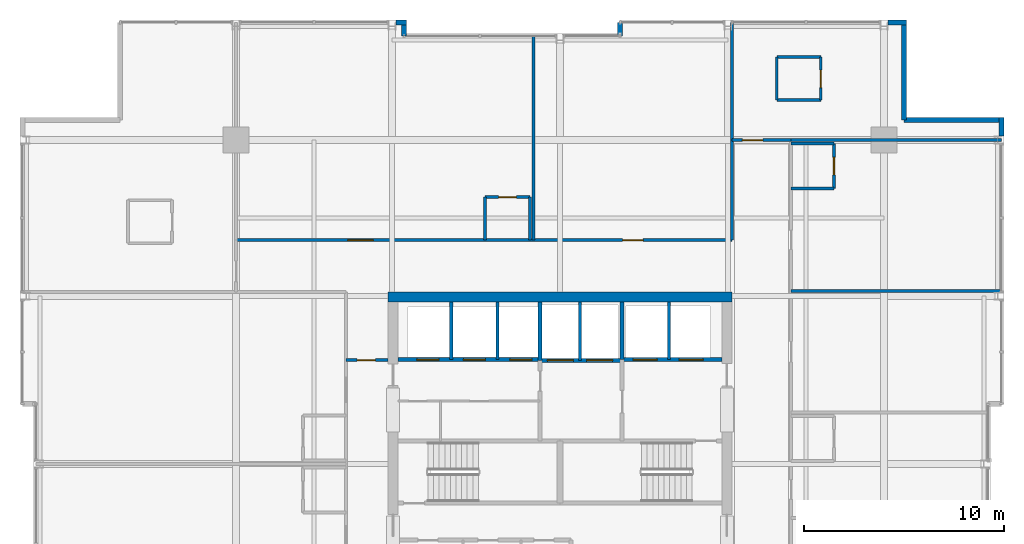
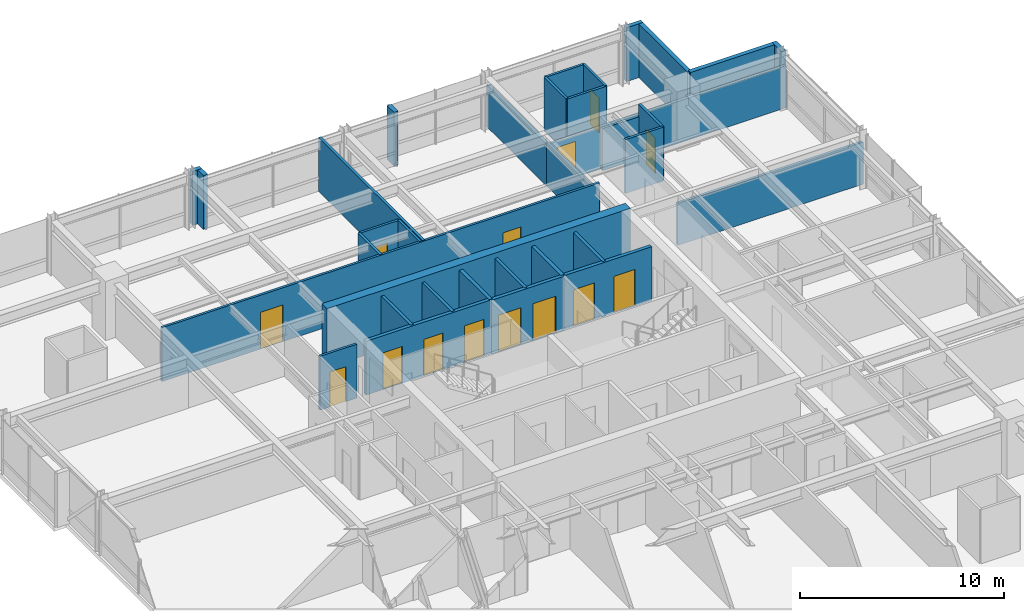
# One storey, part 29 of 33: 35 walls, 14 doors, 14 openings.
"""IFC4 building model written with IfcOpenShell, lengths in metres."""

from ifc_helpers import new_model, si_unit, direction, frame, frame_2d, origin, place, context, subcontext, project, spatial, rectangle, extrude, material, layer, layer_set, type_object, element, fill, save


model = new_model("IFC4")

# Units and contexts
model_context = context("Model", 3, precision=1e-05, world=origin(), true_north=direction((0.0, 1.0)))
body_context = subcontext(model_context, "Body", "Model", "MODEL_VIEW")
ifc_project = project(units=[si_unit("LENGTHUNIT", "METRE"), si_unit("AREAUNIT", "SQUARE_METRE"), si_unit("VOLUMEUNIT", "CUBIC_METRE"), si_unit("PLANEANGLEUNIT", "RADIAN"), si_unit("MASSUNIT", "GRAM", prefix="KILO")], contexts=[model_context])

# Site, building, storey
site_placement = place(None, origin())
site = spatial("IfcSite", under=ifc_project, at=site_placement, CompositionType="ELEMENT")
building_placement = place(site_placement, origin())
building = spatial("IfcBuilding", under=site, at=building_placement, Name="Drelvath Grand Hotel", CompositionType="ELEMENT")
storey_placement = place(building_placement, frame((0.0, 0.0, 196.550048828125)))
storey = spatial("IfcBuildingStorey", under=building, at=storey_placement, Name="L51", CompositionType="ELEMENT", Elevation=196.550048828125)

# Wall, openings, doors
ifc_material_1 = material(Name="Concrete C40/50", Category="concrete")
ifc_layer_1 = layer(ifc_material_1, 0.199951171875)
ifc_layer_set_1 = layer_set([ifc_layer_1], Name="Concrete C40/50")
wall_type_1 = type_object("IfcWallType", Name="Core Hoistway Fire Wall 200", PredefinedType="SOLIDWALL", material=ifc_layer_set_1)
wall_1_placement = place(storey_placement, frame((3.10009765625, 32.219970703125, 0.0), z_axis=(0.0, 0.0, 1.0), x_axis=(1.0, 0.0, 0.0)))
wall_1 = element("IfcWall", 1, at=wall_1_placement, inside=storey, type_object=wall_type_1, Name="L51 FSAE Hoistway Front Wall", PredefinedType="SOLIDWALL", context=body_context, shape_type="SweptSolid", body=[
    extrude(rectangle(XDim=5.0, YDim=0.199951171875, at=frame_2d((2.5, 0.0))), origin(), (0.0, 0.0, 1.0), 3.22998046875),
])
opening_1_placement = place(wall_1_placement, frame((0.550048828125, 0.0, 0.0)))
opening_1 = element("IfcOpeningElement", 2, at=opening_1_placement, cuts=wall_1, Name="Opening LD-FSAE-1", PredefinedType="OPENING", context=body_context, shape_type="SweptSolid", body=[
    extrude(rectangle(XDim=1.199951171875, YDim=2.199951171875, at=frame_2d((0.60009765625, 1.10009765625))), frame((0.0, 0.10986328125, 0.0), z_axis=(0.0, -1.0, 0.0), x_axis=(1.0, 0.0, 0.0)), (0.0, 0.0, 1.0), 0.219970703125),
])
opening_2_placement = place(wall_1_placement, frame((2.85009765625, 0.0, 0.0)))
opening_2 = element("IfcOpeningElement", 3, at=opening_2_placement, cuts=wall_1, Name="Opening LD-FSAE-2", PredefinedType="OPENING", context=body_context, shape_type="SweptSolid", body=[
    extrude(rectangle(XDim=1.199951171875, YDim=2.199951171875, at=frame_2d((0.60009765625, 1.10009765625))), frame((0.0, 0.10986328125, 0.0), z_axis=(0.0, -1.0, 0.0), x_axis=(1.0, 0.0, 0.0)), (0.0, 0.0, 1.0), 0.219970703125),
])
ifc_material_2 = material(Name="Stainless Steel S355", Category="steel")
door_type_1 = type_object("IfcDoorType", Name="FSAE Lift Sliding Landing Door 1200x2200", OperationType="NOTDEFINED", PredefinedType="DOOR", material=ifc_material_2)
door_1_placement = place(opening_1_placement, origin())
door_1 = element("IfcDoor", 4, at=door_1_placement, inside=storey, type_object=door_type_1, Name="L51 Lift FSAE-1 Landing Door", OperationType="SLIDING_TO_LEFT", OverallHeight=2.199951171875, OverallWidth=1.199951171875, PredefinedType="DOOR", context=body_context, shape_type="SweptSolid", body=[
    extrude(rectangle(XDim=1.199951171875, YDim=2.199951171875, at=frame_2d((0.60009765625, 1.10009765625))), frame((0.0, 0.02490234375, 0.0), z_axis=(0.0, -1.0, 0.0), x_axis=(1.0, 0.0, 0.0)), (0.0, 0.0, 1.0), 0.050048828125),
])
fill(opening_1, door_1)
door_2_placement = place(opening_2_placement, origin())
door_2 = element("IfcDoor", 5, at=door_2_placement, inside=storey, type_object=door_type_1, Name="L51 Lift FSAE-2 Landing Door", OperationType="SLIDING_TO_LEFT", OverallHeight=2.199951171875, OverallWidth=1.199951171875, PredefinedType="DOOR", context=body_context, shape_type="SweptSolid", body=[
    extrude(rectangle(XDim=1.199951171875, YDim=2.199951171875, at=frame_2d((0.60009765625, 1.10009765625))), frame((0.0, 0.02490234375, 0.0), z_axis=(0.0, -1.0, 0.0), x_axis=(1.0, 0.0, 0.0)), (0.0, 0.0, 1.0), 0.050048828125),
])
fill(opening_2, door_2)

# Wall
wall_2_placement = place(storey_placement, frame((3.10009765625, 32.219970703125, 0.0), z_axis=(0.0, 0.0, 1.0), x_axis=(0.0, 1.0, 0.0)))
element("IfcWall", 6, at=wall_2_placement, inside=storey, type_object=wall_type_1, Name="L51 FSAE Hoistway West Wall", PredefinedType="SOLIDWALL", context=body_context, shape_type="SweptSolid", body=[
    extrude(rectangle(XDim=2.880126953125, YDim=0.199951171875, at=frame_2d((1.43994140625, 0.0))), origin(), (0.0, 0.0, 1.0), 3.22998046875),
])

# Wall, openings, doors
wall_3_placement = place(storey_placement, frame((-1.0, 32.179931640625, 0.0), z_axis=(0.0, 0.0, 1.0), x_axis=(1.0, 0.0, 0.0)))
wall_3 = element("IfcWall", 7, at=wall_3_placement, inside=storey, type_object=wall_type_1, Name="L51 Service Lift Hoistway Wall", PredefinedType="SOLIDWALL", context=body_context, shape_type="SweptSolid", body=[
    extrude(rectangle(XDim=4.10009765625, YDim=0.199951171875, at=frame_2d((2.050048828125, 0.0))), origin(), (0.0, 0.0, 1.0), 3.22998046875),
])
opening_3_placement = place(wall_3_placement, frame((0.3701171875, 0.0, 0.0)))
opening_3 = element("IfcOpeningElement", 8, at=opening_3_placement, cuts=wall_3, Name="Opening LD-SV-2", PredefinedType="OPENING", context=body_context, shape_type="SweptSolid", body=[
    extrude(rectangle(XDim=1.300048828125, YDim=2.199951171875, at=frame_2d((0.64990234375, 1.10009765625))), frame((0.0, 0.10986328125, 0.0), z_axis=(0.0, -1.0, 0.0), x_axis=(1.0, 0.0, 0.0)), (0.0, 0.0, 1.0), 0.219970703125),
])
opening_4_placement = place(wall_3_placement, frame((2.330078125, 0.0, 0.0)))
opening_4 = element("IfcOpeningElement", 9, at=opening_4_placement, cuts=wall_3, Name="Opening LD-SV-1", PredefinedType="OPENING", context=body_context, shape_type="SweptSolid", body=[
    extrude(rectangle(XDim=1.300048828125, YDim=2.199951171875, at=frame_2d((0.64990234375, 1.10009765625))), frame((0.0, 0.10986328125, 0.0), z_axis=(0.0, -1.0, 0.0), x_axis=(1.0, 0.0, 0.0)), (0.0, 0.0, 1.0), 0.219970703125),
])
door_type_2 = type_object("IfcDoorType", Name="Service Lift Sliding Landing Door 1300x2200", OperationType="NOTDEFINED", PredefinedType="DOOR", material=ifc_material_2)
door_3_placement = place(opening_3_placement, origin())
door_3 = element("IfcDoor", 10, at=door_3_placement, inside=storey, type_object=door_type_2, Name="L51 Lift SV-2 Landing Door", OperationType="SLIDING_TO_LEFT", OverallHeight=2.199951171875, OverallWidth=1.300048828125, PredefinedType="DOOR", context=body_context, shape_type="SweptSolid", body=[
    extrude(rectangle(XDim=1.300048828125, YDim=2.199951171875, at=frame_2d((0.64990234375, 1.10009765625))), frame((0.0, 0.02490234375, 0.0), z_axis=(0.0, -1.0, 0.0), x_axis=(1.0, 0.0, 0.0)), (0.0, 0.0, 1.0), 0.050048828125),
])
fill(opening_3, door_3)
door_4_placement = place(opening_4_placement, origin())
door_4 = element("IfcDoor", 11, at=door_4_placement, inside=storey, type_object=door_type_2, Name="L51 Lift SV-1 Landing Door", OperationType="SLIDING_TO_LEFT", OverallHeight=2.199951171875, OverallWidth=1.300048828125, PredefinedType="DOOR", context=body_context, shape_type="SweptSolid", body=[
    extrude(rectangle(XDim=1.300048828125, YDim=2.199951171875, at=frame_2d((0.64990234375, 1.10009765625))), frame((0.0, 0.02490234375, 0.0), z_axis=(0.0, -1.0, 0.0), x_axis=(1.0, 0.0, 0.0)), (0.0, 0.0, 1.0), 0.050048828125),
])
fill(opening_4, door_4)

# Wall
wall_4_placement = place(storey_placement, frame((-1.0, 32.179931640625, 0.0), z_axis=(0.0, 0.0, 1.0), x_axis=(0.0, 1.0, 0.0)))
element("IfcWall", 12, at=wall_4_placement, inside=storey, type_object=wall_type_1, Name="L51 Service Lift West Wall", PredefinedType="SOLIDWALL", context=body_context, shape_type="SweptSolid", body=[
    extrude(rectangle(XDim=2.920166015625, YDim=0.199951171875, at=frame_2d((1.4599609375, 0.0))), origin(), (0.0, 0.0, 1.0), 3.22998046875),
])

# Wall, openings, doors
wall_5_placement = place(storey_placement, frame((-8.10009765625, 32.219970703125, 0.0), z_axis=(0.0, 0.0, 1.0), x_axis=(1.0, 0.0, 0.0)))
wall_5 = element("IfcWall", 13, at=wall_5_placement, inside=storey, type_object=wall_type_1, Name="L51 Bank 3 Hoistway Wall", PredefinedType="SOLIDWALL", context=body_context, shape_type="SweptSolid", body=[
    extrude(rectangle(XDim=7.10009765625, YDim=0.199951171875, at=frame_2d((3.550048828125, 0.0))), origin(), (0.0, 0.0, 1.0), 3.22998046875),
])
opening_5_placement = place(wall_5_placement, frame((0.949951171875, 0.0, 0.0)))
opening_5 = element("IfcOpeningElement", 14, at=opening_5_placement, cuts=wall_5, Name="Opening LD-PE-7", PredefinedType="OPENING", context=body_context, shape_type="SweptSolid", body=[
    extrude(rectangle(XDim=1.10009765625, YDim=2.199951171875, at=frame_2d((0.550048828125, 1.10009765625))), frame((0.0, 0.10986328125, 0.0), z_axis=(0.0, -1.0, 0.0), x_axis=(1.0, 0.0, 0.0)), (0.0, 0.0, 1.0), 0.219970703125),
])
opening_6_placement = place(wall_5_placement, frame((3.27001953125, 0.0, 0.0)))
opening_6 = element("IfcOpeningElement", 15, at=opening_6_placement, cuts=wall_5, Name="Opening LD-PE-8", PredefinedType="OPENING", context=body_context, shape_type="SweptSolid", body=[
    extrude(rectangle(XDim=1.10009765625, YDim=2.199951171875, at=frame_2d((0.550048828125, 1.10009765625))), frame((0.0, 0.10986328125, 0.0), z_axis=(0.0, -1.0, 0.0), x_axis=(1.0, 0.0, 0.0)), (0.0, 0.0, 1.0), 0.219970703125),
])
opening_7_placement = place(wall_5_placement, frame((5.590087890625, 0.0, 0.0)))
opening_7 = element("IfcOpeningElement", 16, at=opening_7_placement, cuts=wall_5, Name="Opening LD-PE-9", PredefinedType="OPENING", context=body_context, shape_type="SweptSolid", body=[
    extrude(rectangle(XDim=1.10009765625, YDim=2.199951171875, at=frame_2d((0.550048828125, 1.10009765625))), frame((0.0, 0.10986328125, 0.0), z_axis=(0.0, -1.0, 0.0), x_axis=(1.0, 0.0, 0.0)), (0.0, 0.0, 1.0), 0.219970703125),
])
door_type_3 = type_object("IfcDoorType", Name="Passenger Lift Sliding Landing Door 1100x2200", OperationType="NOTDEFINED", PredefinedType="DOOR", material=ifc_material_2)
door_5_placement = place(opening_5_placement, origin())
door_5 = element("IfcDoor", 17, at=door_5_placement, inside=storey, type_object=door_type_3, Name="L51 Lift PE-7 Landing Door", OperationType="SLIDING_TO_LEFT", OverallHeight=2.199951171875, OverallWidth=1.10009765625, PredefinedType="DOOR", context=body_context, shape_type="SweptSolid", body=[
    extrude(rectangle(XDim=1.10009765625, YDim=2.199951171875, at=frame_2d((0.550048828125, 1.10009765625))), frame((0.0, 0.02490234375, 0.0), z_axis=(0.0, -1.0, 0.0), x_axis=(1.0, 0.0, 0.0)), (0.0, 0.0, 1.0), 0.050048828125),
])
fill(opening_5, door_5)
door_6_placement = place(opening_6_placement, origin())
door_6 = element("IfcDoor", 18, at=door_6_placement, inside=storey, type_object=door_type_3, Name="L51 Lift PE-8 Landing Door", OperationType="SLIDING_TO_LEFT", OverallHeight=2.199951171875, OverallWidth=1.10009765625, PredefinedType="DOOR", context=body_context, shape_type="SweptSolid", body=[
    extrude(rectangle(XDim=1.10009765625, YDim=2.199951171875, at=frame_2d((0.550048828125, 1.10009765625))), frame((0.0, 0.02490234375, 0.0), z_axis=(0.0, -1.0, 0.0), x_axis=(1.0, 0.0, 0.0)), (0.0, 0.0, 1.0), 0.050048828125),
])
fill(opening_6, door_6)
door_7_placement = place(opening_7_placement, origin())
door_7 = element("IfcDoor", 19, at=door_7_placement, inside=storey, type_object=door_type_3, Name="L51 Lift PE-9 Landing Door", OperationType="SLIDING_TO_LEFT", OverallHeight=2.199951171875, OverallWidth=1.10009765625, PredefinedType="DOOR", context=body_context, shape_type="SweptSolid", body=[
    extrude(rectangle(XDim=1.10009765625, YDim=2.199951171875, at=frame_2d((0.550048828125, 1.10009765625))), frame((0.0, 0.02490234375, 0.0), z_axis=(0.0, -1.0, 0.0), x_axis=(1.0, 0.0, 0.0)), (0.0, 0.0, 1.0), 0.050048828125),
])
fill(opening_7, door_7)

# Walls
ifc_material_3 = material(Name="Gypsum Fireboard Partition")
ifc_layer_2 = layer(ifc_material_3, 0.1650390625)
ifc_layer_set_2 = layer_set([ifc_layer_2], Name="Gypsum Fireboard Partition")
wall_type_2 = type_object("IfcWallType", Name="Core Shaft Partition 165", PredefinedType="PARTITIONING", material=ifc_layer_set_2)
wall_6_placement = place(storey_placement, frame((5.449951171875, 32.219970703125, 0.0), z_axis=(0.0, 0.0, 1.0), x_axis=(0.0, 1.0, 0.0)))
element("IfcWall", 20, at=wall_6_placement, inside=storey, type_object=wall_type_2, Name="L51 FSAE Hoistway Divider", PredefinedType="PARTITIONING", context=body_context, shape_type="SweptSolid", body=[
    extrude(rectangle(XDim=2.880126953125, YDim=0.1650390625, at=frame_2d((1.43994140625, 0.0))), origin(), (0.0, 0.0, 1.0), 3.22998046875),
])
wall_7_placement = place(storey_placement, frame((1.0, 32.179931640625, 0.0), z_axis=(0.0, 0.0, 1.0), x_axis=(0.0, 1.0, 0.0)))
element("IfcWall", 21, at=wall_7_placement, inside=storey, type_object=wall_type_2, Name="L51 Service Lift Divider", PredefinedType="PARTITIONING", context=body_context, shape_type="SweptSolid", body=[
    extrude(rectangle(XDim=2.920166015625, YDim=0.1650390625, at=frame_2d((1.4599609375, 0.0))), origin(), (0.0, 0.0, 1.0), 3.22998046875),
])
for number, where, z_axis, x_axis, name in (
    (22, (-5.43994140625, 32.219970703125, 0.0), (0.0, 0.0, 1.0), (0.0, 1.0, 0.0), "L51 Lift PE-7/8 Divider"),
    (23, (-3.1201171875, 32.219970703125, 0.0), (0.0, 0.0, 1.0), (0.0, 1.0, 0.0), "L51 Lift PE-8/9 Divider"),
):
    element("IfcWall", number, at=place(storey_placement, frame(where, z_axis=z_axis, x_axis=x_axis)), inside=storey, type_object=wall_type_2, Name=name, PredefinedType="PARTITIONING", context=body_context, shape_type="SweptSolid", body=[
        extrude(rectangle(XDim=2.880126953125, YDim=0.1650390625, at=frame_2d((1.43994140625, 0.0))), origin(), (0.0, 0.0, 1.0), 3.22998046875),
    ])

# Wall, opening, door
ifc_layer_3 = layer(ifc_material_3, 0.135009765625)
ifc_layer_set_3 = layer_set([ifc_layer_3], Name="Gypsum Fireboard Partition")
wall_type_3 = type_object("IfcWallType", Name="Corridor Fire Barrier Wall 135", PredefinedType="PARTITIONING", material=ifc_layer_set_3)
wall_8_placement = place(storey_placement, frame((-10.699951171875, 32.199951171875, 0.0), z_axis=(0.0, 0.0, 1.0), x_axis=(1.0, 0.0, 0.0)))
wall_8 = element("IfcWall", 24, at=wall_8_placement, inside=storey, type_object=wall_type_3, Name="L51 West Foyer North Wall", PredefinedType="PARTITIONING", context=body_context, shape_type="SweptSolid", body=[
    extrude(rectangle(XDim=2.099853515625, YDim=0.135009765625, at=frame_2d((1.0498046875, 0.0))), origin(), (0.0, 0.0, 1.0), 3.22998046875),
])
opening_8_placement = place(wall_8_placement, frame((0.550048828125, 0.0, 0.0)))
opening_8 = element("IfcOpeningElement", 25, at=opening_8_placement, cuts=wall_8, Name="Opening D-T3G5-025", PredefinedType="OPENING", context=body_context, shape_type="SweptSolid", body=[
    extrude(rectangle(XDim=0.919921875, YDim=2.10009765625, at=frame_2d((0.4599609375, 1.050048828125))), frame((0.0, 0.077392578125, 0.0), z_axis=(0.0, -1.0, 0.0), x_axis=(1.0, 0.0, 0.0)), (0.0, 0.0, 1.0), 0.155029296875),
])
ifc_material_4 = material(Name="Painted Steel S275", Category="steel")
door_type_4 = type_object("IfcDoorType", Name="Staff Utility Door 920x2100", OperationType="NOTDEFINED", PredefinedType="DOOR", material=ifc_material_4)
door_8_placement = place(opening_8_placement, origin())
door_8 = element("IfcDoor", 26, at=door_8_placement, inside=storey, type_object=door_type_4, Name="L51 West Pantry Door", OperationType="SINGLE_SWING_LEFT", OverallHeight=2.10009765625, OverallWidth=0.919921875, PredefinedType="DOOR", context=body_context, shape_type="SweptSolid", body=[
    extrude(rectangle(XDim=0.919921875, YDim=2.10009765625, at=frame_2d((0.4599609375, 1.050048828125))), frame((0.0, 0.02490234375, 0.0), z_axis=(0.0, -1.0, 0.0), x_axis=(1.0, 0.0, 0.0)), (0.0, 0.0, 1.0), 0.050048828125),
])
fill(opening_8, door_8)

# Wall
wall_9_placement = place(storey_placement, frame((8.60009765625, 38.199951171875, 0.0), z_axis=(0.0, 0.0, 1.0), x_axis=(0.0, 1.0, 0.0)))
element("IfcWall", 27, at=wall_9_placement, inside=storey, type_object=wall_type_3, Name="L51 East Spine North Inner Wall", PredefinedType="PARTITIONING", context=body_context, shape_type="SweptSolid", body=[
    extrude(rectangle(XDim=5.0, YDim=0.135009765625, at=frame_2d((2.5, 0.0))), origin(), (0.0, 0.0, 1.0), 2.607421875),
])

# Wall, openings, doors
wall_10_placement = place(storey_placement, frame((-16.199951171875, 38.199951171875, 0.0), z_axis=(0.0, 0.0, 1.0), x_axis=(1.0, 0.0, 0.0)))
wall_10 = element("IfcWall", 28, at=wall_10_placement, inside=storey, type_object=wall_type_3, Name="L51 North Stub Corridor Wall", PredefinedType="PARTITIONING", context=body_context, shape_type="SweptSolid", body=[
    extrude(rectangle(XDim=24.800048828125, YDim=0.135009765625, at=frame_2d((12.39990234375, 0.0))), origin(), (0.0, 0.0, 1.0), 3.22998046875),
])
opening_9_placement = place(wall_10_placement, frame((5.594970703125, 0.0, 0.0)))
opening_9 = element("IfcOpeningElement", 29, at=opening_9_placement, cuts=wall_10, Name="Opening D-T3G5-044", PredefinedType="OPENING", context=body_context, shape_type="SweptSolid", body=[
    extrude(rectangle(XDim=1.260009765625, YDim=2.199951171875, at=frame_2d((0.6298828125, 1.10009765625))), frame((0.0, 0.077392578125, 0.0), z_axis=(0.0, -1.0, 0.0), x_axis=(1.0, 0.0, 0.0)), (0.0, 0.0, 1.0), 0.155029296875),
])
opening_10_placement = place(wall_10_placement, frame((19.330078125, 0.0, 0.0)))
opening_10 = element("IfcOpeningElement", 30, at=opening_10_placement, cuts=wall_10, Name="Opening D-T3G5-045", PredefinedType="OPENING", context=body_context, shape_type="SweptSolid", body=[
    extrude(rectangle(XDim=1.02001953125, YDim=2.14990234375, at=frame_2d((0.510009765625, 1.074951171875))), frame((0.0, 0.077392578125, 0.0), z_axis=(0.0, -1.0, 0.0), x_axis=(1.0, 0.0, 0.0)), (0.0, 0.0, 1.0), 0.155029296875),
])
ifc_material_5 = material(Name="Hardwood Walnut Timber", Category="wood")
door_type_5 = type_object("IfcDoorType", Name="Amenity Meeting Fire Door 1020x2150", OperationType="NOTDEFINED", PredefinedType="DOOR", material=ifc_material_5)
door_9_placement = place(opening_10_placement, origin())
door_9 = element("IfcDoor", 31, at=door_9_placement, inside=storey, type_object=door_type_5, Name="L51 Horizon Club Lounge Entry Door", OperationType="SINGLE_SWING_LEFT", OverallHeight=2.14990234375, OverallWidth=1.02001953125, PredefinedType="DOOR", context=body_context, shape_type="SweptSolid", body=[
    extrude(rectangle(XDim=1.02001953125, YDim=2.14990234375, at=frame_2d((0.510009765625, 1.074951171875))), frame((0.0, 0.02490234375, 0.0), z_axis=(0.0, -1.0, 0.0), x_axis=(1.0, 0.0, 0.0)), (0.0, 0.0, 1.0), 0.050048828125),
])
fill(opening_10, door_9)
door_type_6 = type_object("IfcDoorType", Name="Suite Entrance Fire Door 1260x2200", OperationType="NOTDEFINED", PredefinedType="DOOR", material=ifc_material_5)
door_10_placement = place(opening_9_placement, origin())
door_10 = element("IfcDoor", 32, at=door_10_placement, inside=storey, type_object=door_type_6, Name="L51 Executive Suite Entry Door", OperationType="SINGLE_SWING_RIGHT", OverallHeight=2.199951171875, OverallWidth=1.260009765625, PredefinedType="DOOR", context=body_context, shape_type="SweptSolid", body=[
    extrude(rectangle(XDim=1.260009765625, YDim=2.199951171875, at=frame_2d((0.6298828125, 1.10009765625))), frame((0.0, 0.02490234375, 0.0), z_axis=(0.0, -1.0, 0.0), x_axis=(1.0, 0.0, 0.0)), (0.0, 0.0, 1.0), 0.050048828125),
])
fill(opening_9, door_10)

# Wall, opening, door
wall_11_placement = place(storey_placement, frame((8.60009765625, 43.199951171875, 0.0), z_axis=(0.0, 0.0, 1.0), x_axis=(1.0, 0.0, 0.0)))
wall_11 = element("IfcWall", 33, at=wall_11_placement, inside=storey, type_object=wall_type_3, Name="L51 East Spine North End", PredefinedType="PARTITIONING", context=body_context, shape_type="SweptSolid", body=[
    extrude(rectangle(XDim=2.949951171875, YDim=0.135009765625, at=frame_2d((1.47509765625, 0.0))), origin(), (0.0, 0.0, 1.0), 2.51953125),
])
opening_11_placement = place(wall_11_placement, frame((0.52001953125, 0.0, 0.0)))
opening_11 = element("IfcOpeningElement", 34, at=opening_11_placement, cuts=wall_11, Name="Opening D-T3G5-033", PredefinedType="OPENING", context=body_context, shape_type="SweptSolid", body=[
    extrude(rectangle(XDim=1.02001953125, YDim=2.14990234375, at=frame_2d((0.510009765625, 1.074951171875))), frame((0.0, 0.077392578125, 0.0), z_axis=(0.0, -1.0, 0.0), x_axis=(1.0, 0.0, 0.0)), (0.0, 0.0, 1.0), 0.155029296875),
])
door_11_placement = place(opening_11_placement, origin())
door_11 = element("IfcDoor", 35, at=door_11_placement, inside=storey, type_object=door_type_5, Name="L51 Executive Suite Entry Door", OperationType="SINGLE_SWING_LEFT", OverallHeight=2.14990234375, OverallWidth=1.02001953125, PredefinedType="DOOR", context=body_context, shape_type="SweptSolid", body=[
    extrude(rectangle(XDim=1.02001953125, YDim=2.14990234375, at=frame_2d((0.510009765625, 1.074951171875))), frame((0.0, 0.02490234375, 0.0), z_axis=(0.0, -1.0, 0.0), x_axis=(1.0, 0.0, 0.0)), (0.0, 0.0, 1.0), 0.050048828125),
])
fill(opening_11, door_11)

# Walls
ifc_material_6 = material(Name="Moisture-Resistant Gypsum Board")
ifc_layer_4 = layer(ifc_material_6, 0.139892578125)
ifc_layer_set_4 = layer_set([ifc_layer_4], Name="Moisture-Resistant Gypsum Board")
wall_type_4 = type_object("IfcWallType", Name="En-Suite Plumbing Wall 140", PredefinedType="PLUMBINGWALL", material=ifc_layer_set_4)
for number, where, z_axis, x_axis, name in (
    (36, (10.840087890625, 45.199951171875, 0.0), (0.0, 0.0, 1.0), (1.0, 0.0, 0.0), "L51 Corner En-Suite South"),
    (37, (10.840087890625, 47.35009765625, 0.0), (0.0, 0.0, 1.0), (1.0, 0.0, 0.0), "L51 Corner En-Suite North"),
):
    element("IfcWall", number, at=place(storey_placement, frame(where, z_axis=z_axis, x_axis=x_axis)), inside=storey, type_object=wall_type_4, Name=name, PredefinedType="PLUMBINGWALL", context=body_context, shape_type="SweptSolid", body=[
        extrude(rectangle(XDim=2.199951171875, YDim=0.139892578125, at=frame_2d((1.10009765625, 0.0))), origin(), (0.0, 0.0, 1.0), 3.22998046875),
    ])
wall_12_placement = place(storey_placement, frame((10.840087890625, 45.199951171875, 0.0), z_axis=(0.0, 0.0, 1.0), x_axis=(0.0, 1.0, 0.0)))
element("IfcWall", 38, at=wall_12_placement, inside=storey, type_object=wall_type_4, Name="L51 Corner En-Suite West", PredefinedType="PLUMBINGWALL", context=body_context, shape_type="SweptSolid", body=[
    extrude(rectangle(XDim=2.150146484375, YDim=0.139892578125, at=frame_2d((1.0751953125, 0.0))), origin(), (0.0, 0.0, 1.0), 3.22998046875),
])

# Wall, opening, door
wall_13_placement = place(storey_placement, frame((13.0400390625, 45.199951171875, 0.0), z_axis=(0.0, 0.0, 1.0), x_axis=(0.0, 1.0, 0.0)))
wall_13 = element("IfcWall", 39, at=wall_13_placement, inside=storey, type_object=wall_type_4, Name="L51 Corner En-Suite East", PredefinedType="PLUMBINGWALL", context=body_context, shape_type="SweptSolid", body=[
    extrude(rectangle(XDim=2.150146484375, YDim=0.139892578125, at=frame_2d((1.0751953125, 0.0))), origin(), (0.0, 0.0, 1.0), 3.22998046875),
])
opening_12_placement = place(wall_13_placement, frame((0.6201171875, 0.0, 0.0)))
opening_12 = element("IfcOpeningElement", 40, at=opening_12_placement, cuts=wall_13, Name="Opening D-T3G5-032", PredefinedType="OPENING", context=body_context, shape_type="SweptSolid", body=[
    extrude(rectangle(XDim=0.8798828125, YDim=2.10009765625, at=frame_2d((0.43994140625, 1.050048828125))), frame((0.0, 0.079833984375, 0.0), z_axis=(0.0, -1.0, 0.0), x_axis=(1.0, 0.0, 0.0)), (0.0, 0.0, 1.0), 0.159912109375),
])
door_type_7 = type_object("IfcDoorType", Name="En-Suite Bathroom Door 880x2100", OperationType="NOTDEFINED", PredefinedType="DOOR", material=ifc_material_5)
door_12_placement = place(opening_12_placement, origin())
door_12 = element("IfcDoor", 41, at=door_12_placement, inside=storey, type_object=door_type_7, Name="L51 Corner En-Suite Door", OperationType="SINGLE_SWING_RIGHT", OverallHeight=2.10009765625, OverallWidth=0.8798828125, PredefinedType="DOOR", context=body_context, shape_type="SweptSolid", body=[
    extrude(rectangle(XDim=0.8798828125, YDim=2.10009765625, at=frame_2d((0.43994140625, 1.050048828125))), frame((0.0, 0.02490234375, 0.0), z_axis=(0.0, -1.0, 0.0), x_axis=(1.0, 0.0, 0.0)), (0.0, 0.0, 1.0), 0.050048828125),
])
fill(opening_12, door_12)

# Walls
for number, where, z_axis, x_axis, name in (
    (42, (-3.75, 38.199951171875, 0.0), (0.0, 0.0, 1.0), (0.0, 1.0, 0.0), "L51 En-Suite Left Wall"),
    (43, (-1.5, 38.199951171875, 0.0), (0.0, 0.0, 1.0), (0.0, 1.0, 0.0), "L51 En-Suite Right Wall"),
):
    element("IfcWall", number, at=place(storey_placement, frame(where, z_axis=z_axis, x_axis=x_axis)), inside=storey, type_object=wall_type_4, Name=name, PredefinedType="PLUMBINGWALL", context=body_context, shape_type="SweptSolid", body=[
        extrude(rectangle(XDim=2.150146484375, YDim=0.139892578125, at=frame_2d((1.0751953125, 0.0))), origin(), (0.0, 0.0, 1.0), 3.22998046875),
    ])

# Wall, opening, door
wall_14_placement = place(storey_placement, frame((-3.75, 40.35009765625, 0.0), z_axis=(0.0, 0.0, 1.0), x_axis=(1.0, 0.0, 0.0)))
wall_14 = element("IfcWall", 44, at=wall_14_placement, inside=storey, type_object=wall_type_4, Name="L51 En-Suite Front Wall", PredefinedType="PLUMBINGWALL", context=body_context, shape_type="SweptSolid", body=[
    extrude(rectangle(XDim=2.25, YDim=0.139892578125, at=frame_2d((1.125, 0.0))), origin(), (0.0, 0.0, 1.0), 3.22998046875),
])
opening_13_placement = place(wall_14_placement, frame((0.68505859375, 0.0, 0.0)))
opening_13 = element("IfcOpeningElement", 45, at=opening_13_placement, cuts=wall_14, Name="Opening D-T3G5-043", PredefinedType="OPENING", context=body_context, shape_type="SweptSolid", body=[
    extrude(rectangle(XDim=0.8798828125, YDim=2.10009765625, at=frame_2d((0.43994140625, 1.050048828125))), frame((0.0, 0.079833984375, 0.0), z_axis=(0.0, -1.0, 0.0), x_axis=(1.0, 0.0, 0.0)), (0.0, 0.0, 1.0), 0.159912109375),
])
door_13_placement = place(opening_13_placement, origin())
door_13 = element("IfcDoor", 46, at=door_13_placement, inside=storey, type_object=door_type_7, Name="L51 En-Suite Bathroom Door", OperationType="SINGLE_SWING_LEFT", OverallHeight=2.10009765625, OverallWidth=0.8798828125, PredefinedType="DOOR", context=body_context, shape_type="SweptSolid", body=[
    extrude(rectangle(XDim=0.8798828125, YDim=2.10009765625, at=frame_2d((0.43994140625, 1.050048828125))), frame((0.0, 0.02490234375, 0.0), z_axis=(0.0, -1.0, 0.0), x_axis=(1.0, 0.0, 0.0)), (0.0, 0.0, 1.0), 0.050048828125),
])
fill(opening_13, door_13)

# Walls
wall_15_placement = place(storey_placement, frame((11.550048828125, 40.77001953125, 0.0), z_axis=(0.0, 0.0, 1.0), x_axis=(1.0, 0.0, 0.0)))
element("IfcWall", 47, at=wall_15_placement, inside=storey, type_object=wall_type_4, Name="L51 En-Suite Left Wall", PredefinedType="PLUMBINGWALL", context=body_context, shape_type="SweptSolid", body=[
    extrude(rectangle(XDim=2.14990234375, YDim=0.139892578125, at=frame_2d((1.074951171875, 0.0))), origin(), (0.0, 0.0, 1.0), 3.22998046875),
])
wall_16_placement = place(storey_placement, frame((11.550048828125, 43.02001953125, 0.0), z_axis=(0.0, 0.0, 1.0), x_axis=(1.0, 0.0, 0.0)))
element("IfcWall", 48, at=wall_16_placement, inside=storey, type_object=wall_type_4, Name="L51 En-Suite Right Wall", PredefinedType="PLUMBINGWALL", context=body_context, shape_type="SweptSolid", body=[
    extrude(rectangle(XDim=2.14990234375, YDim=0.139892578125, at=frame_2d((1.074951171875, 0.0))), origin(), (0.0, 0.0, 1.0), 2.51953125),
])

# Wall, opening, door
wall_17_placement = place(storey_placement, frame((13.699951171875, 40.77001953125, 0.0), z_axis=(0.0, 0.0, 1.0), x_axis=(0.0, 1.0, 0.0)))
wall_17 = element("IfcWall", 49, at=wall_17_placement, inside=storey, type_object=wall_type_4, Name="L51 En-Suite Front Wall", PredefinedType="PLUMBINGWALL", context=body_context, shape_type="SweptSolid", body=[
    extrude(rectangle(XDim=2.25, YDim=0.139892578125, at=frame_2d((1.125, 0.0))), origin(), (0.0, 0.0, 1.0), 3.22998046875),
])
opening_14_placement = place(wall_17_placement, frame((0.68505859375, 0.0, 0.0)))
opening_14 = element("IfcOpeningElement", 50, at=opening_14_placement, cuts=wall_17, Name="Opening D-T3G5-052", PredefinedType="OPENING", context=body_context, shape_type="SweptSolid", body=[
    extrude(rectangle(XDim=0.8798828125, YDim=2.10009765625, at=frame_2d((0.43994140625, 1.050048828125))), frame((0.0, 0.079833984375, 0.0), z_axis=(0.0, -1.0, 0.0), x_axis=(1.0, 0.0, 0.0)), (0.0, 0.0, 1.0), 0.159912109375),
])
door_14_placement = place(opening_14_placement, origin())
door_14 = element("IfcDoor", 51, at=door_14_placement, inside=storey, type_object=door_type_7, Name="L51 En-Suite Bathroom Door", OperationType="SINGLE_SWING_RIGHT", OverallHeight=2.10009765625, OverallWidth=0.8798828125, PredefinedType="DOOR", context=body_context, shape_type="SweptSolid", body=[
    extrude(rectangle(XDim=0.8798828125, YDim=2.10009765625, at=frame_2d((0.43994140625, 1.050048828125))), frame((0.0, 0.02490234375, 0.0), z_axis=(0.0, -1.0, 0.0), x_axis=(1.0, 0.0, 0.0)), (0.0, 0.0, 1.0), 0.050048828125),
])
fill(opening_14, door_14)

# Walls
ifc_material_7 = material(Name="Gypsum Acoustic Partition")
ifc_layer_5 = layer(ifc_material_7, 0.14990234375)
ifc_layer_set_5 = layer_set([ifc_layer_5], Name="Gypsum Acoustic Partition")
wall_type_5 = type_object("IfcWallType", Name="Guestroom Demising Wall 150", PredefinedType="PARTITIONING", material=ifc_layer_set_5)
wall_18_placement = place(storey_placement, frame((-1.320068359375, 38.199951171875, 0.0), z_axis=(0.0, 0.0, 1.0), x_axis=(0.0, 1.0, 0.0)))
element("IfcWall", 52, at=wall_18_placement, inside=storey, type_object=wall_type_5, Name="L51 North Demising 1", PredefinedType="PARTITIONING", context=body_context, shape_type="SweptSolid", body=[
    extrude(rectangle(XDim=10.199951171875, YDim=0.14990234375, at=frame_2d((5.10009765625, 0.0))), origin(), (0.0, 0.0, 1.0), 3.22998046875),
])
wall_19_placement = place(storey_placement, frame((11.550048828125, 35.639892578125, 0.0), z_axis=(0.0, 0.0, 1.0), x_axis=(1.0, 0.0, 0.0)))
element("IfcWall", 53, at=wall_19_placement, inside=storey, type_object=wall_type_5, Name="L51 East Demising 4", PredefinedType="PARTITIONING", context=body_context, shape_type="SweptSolid", body=[
    extrude(rectangle(XDim=10.530029296875, YDim=0.14990234375, at=frame_2d((5.26513671875, 0.0))), origin(), (0.0, 0.0, 1.0), 2.51953125),
])
ifc_layer_6 = layer(ifc_material_7, 0.1650390625)
ifc_layer_set_6 = layer_set([ifc_layer_6], Name="Gypsum Acoustic Partition")
wall_type_6 = type_object("IfcWallType", Name="Suite Demising Wall 165", PredefinedType="PARTITIONING", material=ifc_layer_set_6)
wall_20_placement = place(storey_placement, frame((8.60009765625, 43.199951171875, 0.0), z_axis=(0.0, 0.0, 1.0), x_axis=(0.0, 1.0, 0.0)))
element("IfcWall", 54, at=wall_20_placement, inside=storey, type_object=wall_type_6, Name="L51 NE Suite West Wall", PredefinedType="PARTITIONING", context=body_context, shape_type="SweptSolid", body=[
    extrude(rectangle(XDim=5.880126953125, YDim=0.1650390625, at=frame_2d((2.93994140625, 0.0))), origin(), (0.0, 0.0, 1.0), 2.51953125),
])
wall_21_placement = place(storey_placement, frame((11.550048828125, 43.199951171875, 0.0), z_axis=(0.0, 0.0, 1.0), x_axis=(1.0, 0.0, 0.0)))
element("IfcWall", 55, at=wall_21_placement, inside=storey, type_object=wall_type_6, Name="L51 NE Suite South Wall", PredefinedType="PARTITIONING", context=body_context, shape_type="SweptSolid", body=[
    extrude(rectangle(XDim=10.530029296875, YDim=0.1650390625, at=frame_2d((5.26513671875, 0.0))), origin(), (0.0, 0.0, 1.0), 2.51953125),
])
ifc_material_8 = material(Name="Pale-Metal Insulated Aluminium Spandrel Assembly", Category="aluminium")
ifc_layer_7 = layer(ifc_material_8, 0.239990234375)
ifc_layer_set_7 = layer_set([ifc_layer_7], Name="Pale-Metal Insulated Aluminium Spandrel Assembly")
wall_type_7 = type_object("IfcWallType", Name="Tower Insulated Metal Spandrel Closure Wall 240", PredefinedType="STANDARD", material=ifc_layer_set_7)
wall_22_placement = place(storey_placement, frame((22.080078125, 44.320068359375, 0.0), z_axis=(0.0, 0.0, 1.0), x_axis=(0.0, -1.0, 0.0)))
element("IfcWall", 56, at=wall_22_placement, inside=storey, type_object=wall_type_7, Name="L51 Corner Pier Spandrel Wall EN3", PredefinedType="STANDARD", context=body_context, shape_type="SweptSolid", body=[
    extrude(rectangle(XDim=0.928466796875, YDim=0.239990234375, at=frame_2d((0.46435546875, 0.0))), origin(), (0.0, 0.0, 1.0), 3.22998046875),
])
wall_23_placement = place(storey_placement, frame((-8.208251953125, 49.080078125, 0.0), z_axis=(0.0, 0.0, 1.0), x_axis=(1.0, 0.0, 0.0)))
element("IfcWall", 57, at=wall_23_placement, inside=storey, type_object=wall_type_7, Name="L51 Corner Pier Spandrel Wall NW3", PredefinedType="STANDARD", context=body_context, shape_type="SweptSolid", body=[
    extrude(rectangle(XDim=0.5283203125, YDim=0.239990234375, at=frame_2d((0.26416015625, 0.0))), origin(), (0.0, 0.0, 1.0), 3.22998046875),
])
wall_24_placement = place(storey_placement, frame((16.3916015625, 49.080078125, 0.0), z_axis=(0.0, 0.0, 1.0), x_axis=(1.0, 0.0, 0.0)))
element("IfcWall", 58, at=wall_24_placement, inside=storey, type_object=wall_type_7, Name="L51 Corner Pier Spandrel Wall NE3", PredefinedType="STANDARD", context=body_context, shape_type="SweptSolid", body=[
    extrude(rectangle(XDim=0.928466796875, YDim=0.239990234375, at=frame_2d((0.46435546875, 0.0))), origin(), (0.0, 0.0, 1.0), 3.22998046875),
])
for number, where, z_axis, x_axis, name in (
    (59, (17.199951171875, 48.9599609375, 0.0), (0.0, 0.0, 1.0), (0.0, -1.0, 0.0), "L51 Notched Corner Return Spandrel Wall CNE1"),
    (60, (17.199951171875, 44.199951171875, 0.0), (0.0, 0.0, 1.0), (1.0, 0.0, 0.0), "L51 Notched Corner Return Spandrel Wall CNE2"),
):
    element("IfcWall", number, at=place(storey_placement, frame(where, z_axis=z_axis, x_axis=x_axis)), inside=storey, type_object=wall_type_7, Name=name, PredefinedType="STANDARD", context=body_context, shape_type="SweptSolid", body=[
        extrude(rectangle(XDim=4.760009765625, YDim=0.239990234375, at=frame_2d((2.3798828125, 0.0))), origin(), (0.0, 0.0, 1.0), 3.22998046875),
    ])
wall_25_placement = place(storey_placement, frame((-7.800048828125, 48.9599609375, 0.0), z_axis=(0.0, 0.0, 1.0), x_axis=(0.0, -1.0, 0.0)))
element("IfcWall", 61, at=wall_25_placement, inside=storey, type_object=wall_type_7, Name="L51 Notched Corner Return Spandrel Wall RN1", PredefinedType="STANDARD", context=body_context, shape_type="SweptSolid", body=[
    extrude(rectangle(XDim=0.56005859375, YDim=0.239990234375, at=frame_2d((0.280029296875, 0.0))), origin(), (0.0, 0.0, 1.0), 3.22998046875),
])
wall_26_placement = place(storey_placement, frame((3.0, 48.39990234375, 0.0), z_axis=(0.0, 0.0, 1.0), x_axis=(0.0, 1.0, 0.0)))
element("IfcWall", 62, at=wall_26_placement, inside=storey, type_object=wall_type_7, Name="L51 Notched Corner Return Spandrel Wall RN2", PredefinedType="STANDARD", context=body_context, shape_type="SweptSolid", body=[
    extrude(rectangle(XDim=0.68017578125, YDim=0.239990234375, at=frame_2d((0.340087890625, 0.0))), origin(), (0.0, 0.0, 1.0), 3.22998046875),
])
ifc_material_9 = material(Name="Concrete f'c 55 MPa", Category="concrete")
ifc_layer_8 = layer(ifc_material_9, 0.5)
ifc_layer_set_8 = layer_set([ifc_layer_8], Name="Concrete f'c 55 MPa")
wall_type_8 = type_object("IfcWallType", Name="Upper Core RC Shear Wall 500", PredefinedType="SHEAR", material=ifc_layer_set_8)
wall_27_placement = place(storey_placement, frame((-8.60009765625, 35.35009765625, 0.0), z_axis=(0.0, 0.0, 1.0), x_axis=(1.0, 0.0, 0.0)))
element("IfcWall", 63, at=wall_27_placement, inside=storey, type_object=wall_type_8, Name="L51 Central Core Shear Wall N", PredefinedType="SHEAR", context=body_context, shape_type="SweptSolid", body=[
    extrude(rectangle(XDim=17.2001953125, YDim=0.5, at=frame_2d((8.60009765625, 0.0))), origin(), (0.0, 0.0, 1.0), 3.550048828125),
])

save(model, "model.ifc")
